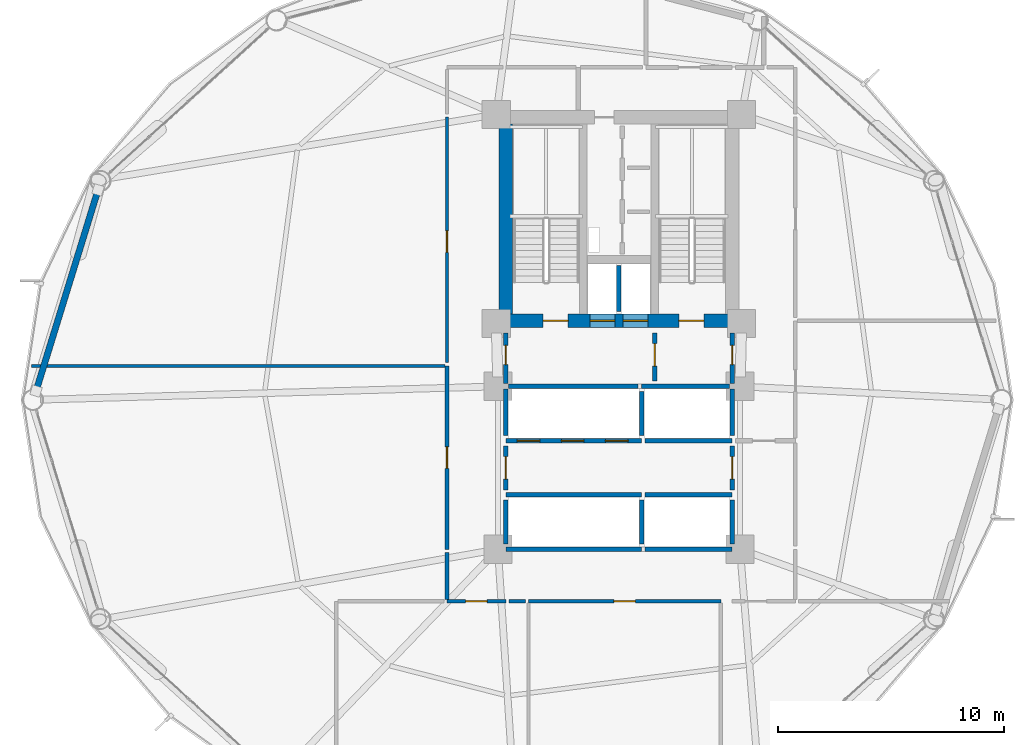
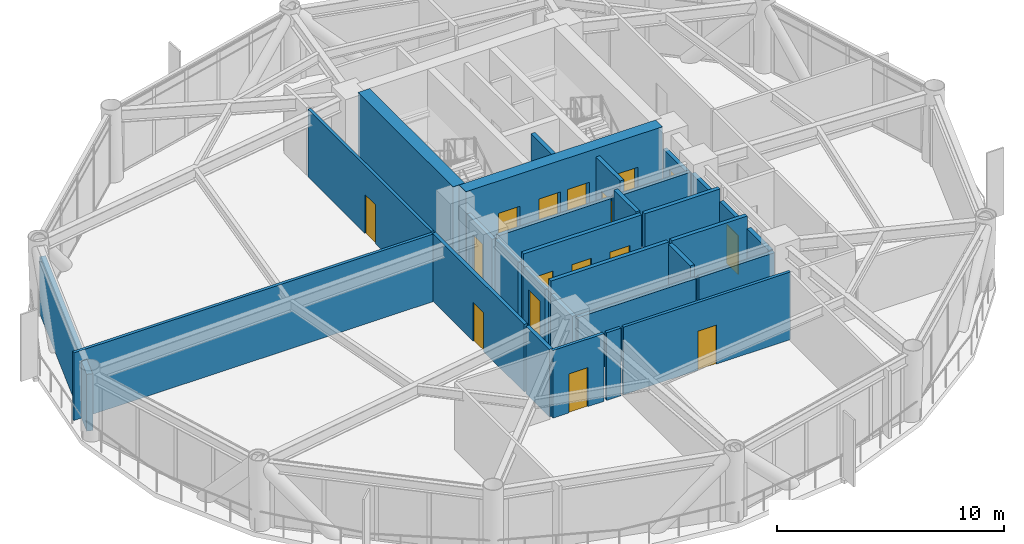
# One storey, part 20 of 25: 30 walls, 16 doors, 16 openings.
"""IFC4 building model written with IfcOpenShell, lengths in metres."""

import ifcopenshell
import ifcopenshell.guid

model = None  # the IFC model being written
_history = None  # IfcOwnerHistory: only IFC2X3 demands one
_inside = {}  # id of a spatial element -> (the spatial element, [elements in it])
_under = {}  # id of a project, library or spatial element -> (it, [spatial elements below it])
_declared = {}  # id of a project -> (the project, [libraries it declares])
_typed = {}  # id of a type object -> (the type object, [elements of that type])
_made_of = {}  # id of a material, layer set ... -> (it, [elements and type objects made of it])


def new_model(schema):
    """Start an empty IFC model of exactly this schema.

    Asked for "IFC4X3", IfcOpenShell would pick the latest addendum, in which some entities
    have other attributes; the version numbers below select the first issue.
    IFC2X3 requires an IfcOwnerHistory on every rooted entity: one is made here for all.
    """
    global model, _history
    if schema == "IFC4X3":
        model = ifcopenshell.file(schema_version=(4, 3, 0, 0))
    else:
        model = ifcopenshell.file(schema=schema)
    _inside.clear()
    _under.clear()
    _declared.clear()
    _typed.clear()
    _made_of.clear()
    _history = None
    if model.schema == "IFC2X3":
        org = make("IfcOrganization", Name="unknown")
        user = make(
            "IfcPersonAndOrganization",
            ThePerson=make("IfcPerson", FamilyName="unknown"),
            TheOrganization=org,
        )
        app = make(
            "IfcApplication",
            ApplicationDeveloper=org,
            Version="unknown",
            ApplicationFullName="unknown",
            ApplicationIdentifier="unknown",
        )
        _history = make(
            "IfcOwnerHistory",
            OwningUser=user,
            OwningApplication=app,
            ChangeAction="ADDED",
            CreationDate=0,
        )
    return model


def make(cls, **values):
    """One entity of the class cls with the attributes given. An attribute that is None is left unset."""
    return model.create_entity(
        cls, **{name: value for name, value in values.items() if value is not None}
    )


def rooted(cls, **values):
    """An entity with a GlobalId (a new one), such as an element, a storey or a relation."""
    return make(cls, GlobalId=ifcopenshell.guid.new(), OwnerHistory=_history, **values)


def si_unit(unit_type, name, prefix=None):
    """IfcSIUnit, for example si_unit("LENGTHUNIT", "METRE", prefix="MILLI")."""
    return make("IfcSIUnit", UnitType=unit_type, Prefix=prefix, Name=name)


def assignment(units):
    """IfcUnitAssignment: the units of a project."""
    return None if units is None else make("IfcUnitAssignment", Units=units)


def point(xyz):
    """IfcCartesianPoint."""
    return None if xyz is None else make("IfcCartesianPoint", Coordinates=xyz)


def direction(xyz):
    """IfcDirection."""
    return None if xyz is None else make("IfcDirection", DirectionRatios=xyz)


def frame(location, z_axis=None, x_axis=None):
    """IfcAxis2Placement3D, a coordinate frame: its origin and axes. An axis left out is left unset."""
    return make(
        "IfcAxis2Placement3D",
        Location=point(location),
        Axis=direction(z_axis),
        RefDirection=direction(x_axis),
    )


def frame_2d(location, x_axis=None):
    """IfcAxis2Placement2D, a coordinate frame in the plane: its origin and x axis."""
    return make(
        "IfcAxis2Placement2D", Location=point(location), RefDirection=direction(x_axis)
    )


def origin():
    """The frame at (0, 0, 0) with its axes left unset."""
    return frame((0.0, 0.0, 0.0))


def place(relative_to, where):
    """IfcLocalPlacement: puts the frame where relative to a parent placement (None: the world)."""
    return make(
        "IfcLocalPlacement", PlacementRelTo=relative_to, RelativePlacement=where
    )


def context(
    kind, dimensions, precision=None, world=None, true_north=None, identifier=None
):
    """IfcGeometricRepresentationContext, for example the 3D "Model" context."""
    return make(
        "IfcGeometricRepresentationContext",
        ContextIdentifier=identifier,
        ContextType=kind,
        CoordinateSpaceDimension=dimensions,
        Precision=precision,
        WorldCoordinateSystem=world,
        TrueNorth=true_north,
    )


def subcontext(parent, identifier, kind, view, scale=None):
    """IfcGeometricRepresentationSubContext, for example "Body" below "Model"."""
    return make(
        "IfcGeometricRepresentationSubContext",
        ContextIdentifier=identifier,
        ContextType=kind,
        ParentContext=parent,
        TargetScale=scale,
        TargetView=view,
    )


def project(units=None, contexts=None):
    """IfcProject with its units and contexts."""
    return rooted(
        "IfcProject",
        Name="project",
        RepresentationContexts=contexts,
        UnitsInContext=assignment(units),
    )


def spatial(cls, under=None, at=None, **own):
    """A site, building, storey or space (cls), placed at a placement, below another one or the project."""
    s = rooted(cls, ObjectPlacement=at, **own)
    if under is not None:
        _under.setdefault(under.id(), (under, []))[1].append(s)
    return s


def profile(cls, at=None, kind="AREA", **sizes):
    """A parametric profile (cls). Its sizes go by their IFC names, for example OverallWidth=200.0."""
    return make(cls, ProfileType=kind, Position=at, **sizes)


def rectangle(**sizes):
    """IfcRectangleProfileDef."""
    return profile("IfcRectangleProfileDef", **sizes)


def extrude(swept, where, along, depth):
    """IfcExtrudedAreaSolid: the profile swept, set in the frame where, extruded along a direction by depth."""
    return make(
        "IfcExtrudedAreaSolid",
        SweptArea=swept,
        Position=where,
        ExtrudedDirection=direction(along),
        Depth=depth,
    )


def shape(context_of_items, identifier, shape_type, items):
    """IfcShapeRepresentation: the items that make up one representation, for example the "Body"."""
    return make(
        "IfcShapeRepresentation",
        ContextOfItems=context_of_items,
        RepresentationIdentifier=identifier,
        RepresentationType=shape_type,
        Items=items,
    )


def material(Name=None, Category=None):
    """IfcMaterial."""
    return make("IfcMaterial", Name=Name, Category=Category)


def layer(
    of_material, thickness, ventilated=None, Name=None, Category=None, Priority=None
):
    """IfcMaterialLayer: one layer of a wall or slab, of a material (None: an air gap)."""
    return make(
        "IfcMaterialLayer",
        Material=of_material,
        LayerThickness=thickness,
        IsVentilated=ventilated,
        Name=Name,
        Category=Category,
        Priority=Priority,
    )


def layer_set(layers, Name=None):
    """IfcMaterialLayerSet."""
    return make("IfcMaterialLayerSet", MaterialLayers=layers, LayerSetName=Name)


def made_of(thing, what):
    """Note that an element or type object is made of a material, layer set ...; save() writes the relation."""
    if what is not None:
        _made_of.setdefault(what.id(), (what, []))[1].append(thing)
    return thing


def type_object(cls, material=None, **own):
    """A type object (cls), such as IfcWallType, which elements share."""
    return made_of(rooted(cls, **own), material)


def element(
    cls,
    number,
    at=None,
    inside=None,
    cuts=None,
    type_object=None,
    material=None,
    context=None,
    identifier="Body",
    shape_type=None,
    held_by="IfcProductDefinitionShape",
    body=None,
    shapes=None,
    **own,
):
    """One element of the class cls, such as IfcWall. Its Tag is "e" and its number.

    at: its placement. inside: the storey or other place that contains it. cuts: it is an
    opening in that element (IfcRelVoidsElement). A single representation is given by context,
    identifier, shape_type and body (its items); several are given by shapes. held_by: the class
    of the entity that holds the representations. save() writes the other relations.
    """
    e = rooted(cls, Tag="e%d" % number, ObjectPlacement=at, **own)
    if body is not None:
        shapes = [shape(context, identifier, shape_type, body)]
    if shapes is not None:
        e.Representation = make(held_by, Representations=shapes)
    if inside is not None:
        _inside.setdefault(inside.id(), (inside, []))[1].append(e)
    if cuts is not None:
        rooted(
            "IfcRelVoidsElement", RelatingBuildingElement=cuts, RelatedOpeningElement=e
        )
    if type_object is not None:
        _typed.setdefault(type_object.id(), (type_object, []))[1].append(e)
    return made_of(e, material)


def fill(opening, filler):
    """IfcRelFillsElement: the door or window that sits in an opening."""
    return rooted(
        "IfcRelFillsElement",
        RelatingOpeningElement=opening,
        RelatedBuildingElement=filler,
    )


def aggregate(whole, parts):
    """IfcRelAggregates: a whole, such as a stair, and the parts it consists of."""
    return rooted("IfcRelAggregates", RelatingObject=whole, RelatedObjects=parts)


def save(model, path):
    """Write the relations noted so far, then the file.

    IfcRelAggregates (storeys below a building ...), IfcRelContainedInSpatialStructure (elements
    in a storey), IfcRelDefinesByType, IfcRelAssociatesMaterial and IfcRelDeclares: one each for
    every whole, place, type object, material and project.
    """
    for whole, parts in _under.values():
        aggregate(whole, parts)
    for where, things in _inside.values():
        rooted(
            "IfcRelContainedInSpatialStructure",
            RelatedElements=things,
            RelatingStructure=where,
        )
    for kind, things in _typed.values():
        rooted("IfcRelDefinesByType", RelatedObjects=things, RelatingType=kind)
    for what, things in _made_of.values():
        rooted("IfcRelAssociatesMaterial", RelatedObjects=things, RelatingMaterial=what)
    for by, libraries in _declared.values():
        rooted("IfcRelDeclares", RelatingContext=by, RelatedDefinitions=libraries)
    model.write(path)


model = new_model("IFC4")

# Units and contexts
model_context = context("Model", 3, precision=1e-05, world=origin(), true_north=direction((0.0, 1.0)))
body_context = subcontext(model_context, "Body", "Model", "MODEL_VIEW")
ifc_project = project(units=[si_unit("LENGTHUNIT", "METRE"), si_unit("AREAUNIT", "SQUARE_METRE"), si_unit("VOLUMEUNIT", "CUBIC_METRE"), si_unit("PLANEANGLEUNIT", "RADIAN"), si_unit("MASSUNIT", "GRAM", prefix="KILO")], contexts=[model_context])

# Site, building, storey
site_placement = place(None, origin())
site = spatial("IfcSite", under=ifc_project, at=site_placement, CompositionType="ELEMENT")
building_placement = place(site_placement, origin())
building = spatial("IfcBuilding", under=site, at=building_placement, Name="Varnakorn Sky Granary", CompositionType="ELEMENT")
storey_placement = place(building_placement, frame((0.0, 0.0, 58.800048828125)))
storey = spatial("IfcBuildingStorey", under=building, at=storey_placement, Name="L14", CompositionType="ELEMENT", Elevation=58.800048828125)

# Wall, openings, doors
ifc_material_1 = material(Name="Concrete C60/75", Category="concrete")
ifc_layer_1 = layer(ifc_material_1, 0.60009765625, Name="Concrete C60/75")
ifc_layer_set_1 = layer_set([ifc_layer_1], Name="Concrete C60/75")
wall_type_1 = type_object("IfcWallType", Name="WT-CW-SHEAR-600", PredefinedType="SHEAR", material=ifc_layer_set_1)
wall_1_placement = place(storey_placement, frame((-2.0, 3.5, 0.0), z_axis=(0.0, 0.0, 1.0), x_axis=(1.0, 0.0, 0.0)))
wall_1 = element("IfcWall", 1, at=wall_1_placement, inside=storey, type_object=wall_type_1, Name="Core South Shear Wall L14", PredefinedType="SHEAR", context=body_context, shape_type="SweptSolid", body=[
    extrude(rectangle(XDim=10.0, YDim=0.60009765625, at=frame_2d((5.0, 0.0))), origin(), (0.0, 0.0, 1.0), 3.891845703125),
])
opening_1_placement = place(wall_1_placement, frame((1.64990234375, 0.0, 0.0)))
opening_1 = element("IfcOpeningElement", 2, at=opening_1_placement, cuts=wall_1, Name="Opening FD-90", PredefinedType="OPENING", context=body_context, shape_type="SweptSolid", body=[
    extrude(rectangle(XDim=1.10009765625, YDim=2.14990234375, at=frame_2d((0.550048828125, 1.074951171875))), frame((0.0, 0.31005859375, 0.0), z_axis=(0.0, -1.0, 0.0), x_axis=(1.0, 0.0, 0.0)), (0.0, 0.0, 1.0), 0.6201171875),
])
opening_2_placement = place(wall_1_placement, frame((7.64990234375, 0.0, 0.0)))
opening_2 = element("IfcOpeningElement", 3, at=opening_2_placement, cuts=wall_1, Name="Opening FD-90", PredefinedType="OPENING", context=body_context, shape_type="SweptSolid", body=[
    extrude(rectangle(XDim=1.10009765625, YDim=2.14990234375, at=frame_2d((0.550048828125, 1.074951171875))), frame((0.0, 0.31005859375, 0.0), z_axis=(0.0, -1.0, 0.0), x_axis=(1.0, 0.0, 0.0)), (0.0, 0.0, 1.0), 0.6201171875),
])
opening_3_placement = place(wall_1_placement, frame((3.719970703125, 0.0, 0.0)))
opening_3 = element("IfcOpeningElement", 4, at=opening_3_placement, cuts=wall_1, Name="Opening LD-01", PredefinedType="OPENING", context=body_context, shape_type="SweptSolid", body=[
    extrude(rectangle(XDim=1.10009765625, YDim=2.199951171875, at=frame_2d((0.550048828125, 1.10009765625))), frame((0.0, 0.31005859375, 0.0), z_axis=(0.0, -1.0, 0.0), x_axis=(1.0, 0.0, 0.0)), (0.0, 0.0, 1.0), 0.6201171875),
])
opening_4_placement = place(wall_1_placement, frame((5.179931640625, 0.0, 0.0)))
opening_4 = element("IfcOpeningElement", 5, at=opening_4_placement, cuts=wall_1, Name="Opening LD-01", PredefinedType="OPENING", context=body_context, shape_type="SweptSolid", body=[
    extrude(rectangle(XDim=1.10009765625, YDim=2.199951171875, at=frame_2d((0.550048828125, 1.10009765625))), frame((0.0, 0.31005859375, 0.0), z_axis=(0.0, -1.0, 0.0), x_axis=(1.0, 0.0, 0.0)), (0.0, 0.0, 1.0), 0.6201171875),
])
ifc_material_2 = material(Name="Brushed Bronze Stainless Steel", Category="steel")
door_type_1 = type_object("IfcDoorType", Name="DR-LD-1100", OperationType="DOUBLE_DOOR_SLIDING", PredefinedType="DOOR", material=ifc_material_2)
door_1_placement = place(opening_3_placement, origin())
door_1 = element("IfcDoor", 6, at=door_1_placement, inside=storey, type_object=door_type_1, Name="Firefighting Lift FFL-1 Landing Door L14", OperationType="DOUBLE_DOOR_SLIDING", OverallHeight=2.199951171875, OverallWidth=1.10009765625, PredefinedType="DOOR", context=body_context, shape_type="SweptSolid", body=[
    extrude(rectangle(XDim=1.10009765625, YDim=2.199951171875, at=frame_2d((0.550048828125, 1.10009765625))), frame((0.0, 0.02490234375, 0.0), z_axis=(0.0, -1.0, 0.0), x_axis=(1.0, 0.0, 0.0)), (0.0, 0.0, 1.0), 0.050048828125),
])
fill(opening_3, door_1)
door_2_placement = place(opening_4_placement, origin())
door_2 = element("IfcDoor", 7, at=door_2_placement, inside=storey, type_object=door_type_1, Name="Firefighting Lift FFL-2 Landing Door L14", OperationType="DOUBLE_DOOR_SLIDING", OverallHeight=2.199951171875, OverallWidth=1.10009765625, PredefinedType="DOOR", context=body_context, shape_type="SweptSolid", body=[
    extrude(rectangle(XDim=1.10009765625, YDim=2.199951171875, at=frame_2d((0.550048828125, 1.10009765625))), frame((0.0, 0.02490234375, 0.0), z_axis=(0.0, -1.0, 0.0), x_axis=(1.0, 0.0, 0.0)), (0.0, 0.0, 1.0), 0.050048828125),
])
fill(opening_4, door_2)
ifc_material_3 = material(Name="Galvanised Painted Steel Leaf", Category="steel")
door_type_2 = type_object("IfcDoorType", Name="DR-STAIR-1100", OperationType="NOTDEFINED", PredefinedType="DOOR", material=ifc_material_3)
door_3_placement = place(opening_1_placement, origin())
door_3 = element("IfcDoor", 8, at=door_3_placement, inside=storey, type_object=door_type_2, Name="Stair ST-1 Protected Fire Door L14", OperationType="SINGLE_SWING_LEFT", OverallHeight=2.14990234375, OverallWidth=1.10009765625, PredefinedType="DOOR", context=body_context, shape_type="SweptSolid", body=[
    extrude(rectangle(XDim=1.10009765625, YDim=2.14990234375, at=frame_2d((0.550048828125, 1.074951171875))), frame((0.0, 0.02490234375, 0.0), z_axis=(0.0, -1.0, 0.0), x_axis=(1.0, 0.0, 0.0)), (0.0, 0.0, 1.0), 0.050048828125),
])
fill(opening_1, door_3)
door_4_placement = place(opening_2_placement, origin())
door_4 = element("IfcDoor", 9, at=door_4_placement, inside=storey, type_object=door_type_2, Name="Stair ST-2 Protected Fire Door L14", OperationType="SINGLE_SWING_RIGHT", OverallHeight=2.14990234375, OverallWidth=1.10009765625, PredefinedType="DOOR", context=body_context, shape_type="SweptSolid", body=[
    extrude(rectangle(XDim=1.10009765625, YDim=2.14990234375, at=frame_2d((0.550048828125, 1.074951171875))), frame((0.0, 0.02490234375, 0.0), z_axis=(0.0, -1.0, 0.0), x_axis=(1.0, 0.0, 0.0)), (0.0, 0.0, 1.0), 0.050048828125),
])
fill(opening_2, door_4)

# Walls
wall_2_placement = place(storey_placement, frame((-2.0, 3.81005859375, 0.0), z_axis=(0.0, 0.0, 1.0), x_axis=(0.0, 1.0, 0.0)))
element("IfcWall", 10, at=wall_2_placement, inside=storey, type_object=wall_type_1, Name="Core West Shear Wall L14", PredefinedType="SHEAR", context=body_context, shape_type="SweptSolid", body=[
    extrude(rectangle(XDim=8.3798828125, YDim=0.60009765625, at=frame_2d((4.18994140625, 0.0))), origin(), (0.0, 0.0, 1.0), 3.891845703125),
])
ifc_material_4 = material(Name="Precast concrete C40/50", Category="concrete")
ifc_layer_2 = layer(ifc_material_4, 0.280029296875, Name="Precast concrete C40/50")
ifc_layer_set_2 = layer_set([ifc_layer_2], Name="Precast concrete C40/50")
wall_type_2 = type_object("IfcWallType", Name="WT-EW-CRN-280", PredefinedType="SOLIDWALL", material=ifc_layer_set_2)
wall_3_placement = place(storey_placement, frame((-22.7666015625, 0.393798828125, 0.0), z_axis=(0.0, 0.0, 1.0), x_axis=(0.294517365883, 0.955646127598, 0.0)))
element("IfcWall", 11, at=wall_3_placement, inside=storey, type_object=wall_type_2, Name="Agritech Insulated Precast Facade Wall L14-P06", PredefinedType="SOLIDWALL", context=body_context, shape_type="SweptSolid", body=[
    extrude(rectangle(XDim=9.302490234375, YDim=0.280029296875, at=frame_2d((4.6513671875, 0.0))), origin(), (0.0, 0.0, 1.0), 3.06005859375),
])

# Wall, opening, door
ifc_material_5 = material(Name="Autoclaved Aerated Concrete Blockwork", Category="masonry")
ifc_layer_3 = layer(ifc_material_5, 0.199951171875, Name="Autoclaved Aerated Concrete Blockwork")
ifc_layer_set_3 = layer_set([ifc_layer_3], Name="Autoclaved Aerated Concrete Blockwork")
wall_type_3 = type_object("IfcWallType", Name="WT-FIRE-200", PredefinedType="MOVABLE", material=ifc_layer_set_3)
wall_4_placement = place(storey_placement, frame((4.580078125, 0.830078125, 0.0), z_axis=(0.0, 0.0, 1.0), x_axis=(0.0, 1.0, 0.0)))
wall_4 = element("IfcWall", 12, at=wall_4_placement, inside=storey, type_object=wall_type_3, Name="Interior Partition Wall L14-016", PredefinedType="MOVABLE", context=body_context, shape_type="SweptSolid", body=[
    extrude(rectangle(XDim=2.139892578125, YDim=0.199951171875, at=frame_2d((1.06982421875, 0.0))), origin(), (0.0, 0.0, 1.0), 3.639892578125),
])
opening_5_placement = place(wall_4_placement, frame((0.659912109375, 0.0, 0.0)))
opening_5 = element("IfcOpeningElement", 13, at=opening_5_placement, cuts=wall_4, Name="Opening FD-60", PredefinedType="OPENING", context=body_context, shape_type="SweptSolid", body=[
    extrude(rectangle(XDim=1.0, YDim=2.10009765625, at=frame_2d((0.5, 1.050048828125))), frame((0.0, 0.10986328125, 0.0), z_axis=(0.0, -1.0, 0.0), x_axis=(1.0, 0.0, 0.0)), (0.0, 0.0, 1.0), 0.219970703125),
])
ifc_material_6 = material(Name="Acoustic Timber Fire Leaf", Category="wood")
door_type_3 = type_object("IfcDoorType", Name="DR-FD60-1000", OperationType="NOTDEFINED", PredefinedType="DOOR", material=ifc_material_6)
door_5_placement = place(opening_5_placement, origin())
door_5 = element("IfcDoor", 14, at=door_5_placement, inside=storey, type_object=door_type_3, Name="Interior Door L14-016-1", OperationType="SINGLE_SWING_RIGHT", OverallHeight=2.10009765625, OverallWidth=1.0, PredefinedType="DOOR", context=body_context, shape_type="SweptSolid", body=[
    extrude(rectangle(XDim=1.0, YDim=2.10009765625, at=frame_2d((0.5, 1.050048828125))), frame((0.0, 0.02490234375, 0.0), z_axis=(0.0, -1.0, 0.0), x_axis=(1.0, 0.0, 0.0)), (0.0, 0.0, 1.0), 0.050048828125),
])
fill(opening_5, door_5)

wall_5_placement = place(storey_placement, frame((-2.0, 0.719970703125, 0.0), z_axis=(0.0, 0.0, 1.0), x_axis=(0.0, 1.0, 0.0)))
wall_5 = element("IfcWall", 15, at=wall_5_placement, inside=storey, type_object=wall_type_3, Name="Interior Partition Wall L14-017", PredefinedType="MOVABLE", context=body_context, shape_type="SweptSolid", body=[
    extrude(rectangle(XDim=2.25, YDim=0.199951171875, at=frame_2d((1.125, 0.0))), origin(), (0.0, 0.0, 1.0), 2.8720703125),
])
opening_6_placement = place(wall_5_placement, frame((0.844970703125, 0.0, 0.0)))
opening_6 = element("IfcOpeningElement", 16, at=opening_6_placement, cuts=wall_5, Name="Opening FD-60N", PredefinedType="OPENING", context=body_context, shape_type="SweptSolid", body=[
    extrude(rectangle(XDim=0.85009765625, YDim=2.10009765625, at=frame_2d((0.425048828125, 1.050048828125))), frame((0.0, 0.10986328125, 0.0), z_axis=(0.0, -1.0, 0.0), x_axis=(1.0, 0.0, 0.0)), (0.0, 0.0, 1.0), 0.219970703125),
])
door_type_4 = type_object("IfcDoorType", Name="DR-FD60-850", OperationType="NOTDEFINED", PredefinedType="DOOR", material=ifc_material_6)
door_6_placement = place(opening_6_placement, origin())
door_6 = element("IfcDoor", 17, at=door_6_placement, inside=storey, type_object=door_type_4, Name="Interior Door L14-017-1", OperationType="SINGLE_SWING_LEFT", OverallHeight=2.10009765625, OverallWidth=0.85009765625, PredefinedType="DOOR", context=body_context, shape_type="SweptSolid", body=[
    extrude(rectangle(XDim=0.85009765625, YDim=2.10009765625, at=frame_2d((0.425048828125, 1.050048828125))), frame((0.0, 0.02490234375, 0.0), z_axis=(0.0, -1.0, 0.0), x_axis=(1.0, 0.0, 0.0)), (0.0, 0.0, 1.0), 0.050048828125),
])
fill(opening_6, door_6)

wall_6_placement = place(storey_placement, frame((8.0, 0.719970703125, 0.0), z_axis=(0.0, 0.0, 1.0), x_axis=(0.0, 1.0, 0.0)))
wall_6 = element("IfcWall", 18, at=wall_6_placement, inside=storey, type_object=wall_type_3, Name="Interior Partition Wall L14-018", PredefinedType="MOVABLE", context=body_context, shape_type="SweptSolid", body=[
    extrude(rectangle(XDim=2.25, YDim=0.199951171875, at=frame_2d((1.125, 0.0))), origin(), (0.0, 0.0, 1.0), 2.8720703125),
])
opening_7_placement = place(wall_6_placement, frame((0.844970703125, 0.0, 0.0)))
opening_7 = element("IfcOpeningElement", 19, at=opening_7_placement, cuts=wall_6, Name="Opening FD-60N", PredefinedType="OPENING", context=body_context, shape_type="SweptSolid", body=[
    extrude(rectangle(XDim=0.85009765625, YDim=2.10009765625, at=frame_2d((0.425048828125, 1.050048828125))), frame((0.0, 0.10986328125, 0.0), z_axis=(0.0, -1.0, 0.0), x_axis=(1.0, 0.0, 0.0)), (0.0, 0.0, 1.0), 0.219970703125),
])
door_7_placement = place(opening_7_placement, origin())
door_7 = element("IfcDoor", 20, at=door_7_placement, inside=storey, type_object=door_type_4, Name="Interior Door L14-018-1", OperationType="SINGLE_SWING_RIGHT", OverallHeight=2.10009765625, OverallWidth=0.85009765625, PredefinedType="DOOR", context=body_context, shape_type="SweptSolid", body=[
    extrude(rectangle(XDim=0.85009765625, YDim=2.10009765625, at=frame_2d((0.425048828125, 1.050048828125))), frame((0.0, 0.02490234375, 0.0), z_axis=(0.0, -1.0, 0.0), x_axis=(1.0, 0.0, 0.0)), (0.0, 0.0, 1.0), 0.050048828125),
])
fill(opening_7, door_7)

wall_7_placement = place(storey_placement, frame((-2.0, -3.969970703125, 0.0), z_axis=(0.0, 0.0, 1.0), x_axis=(0.0, 1.0, 0.0)))
wall_7 = element("IfcWall", 21, at=wall_7_placement, inside=storey, type_object=wall_type_3, Name="Interior Partition Wall L14-019", PredefinedType="MOVABLE", context=body_context, shape_type="SweptSolid", body=[
    extrude(rectangle(XDim=1.93994140625, YDim=0.199951171875, at=frame_2d((0.969970703125, 0.0))), origin(), (0.0, 0.0, 1.0), 3.02197265625),
])
opening_8_placement = place(wall_7_placement, frame((0.469970703125, 0.0, 0.0)))
opening_8 = element("IfcOpeningElement", 22, at=opening_8_placement, cuts=wall_7, Name="Opening FD-60", PredefinedType="OPENING", context=body_context, shape_type="SweptSolid", body=[
    extrude(rectangle(XDim=1.0, YDim=2.10009765625, at=frame_2d((0.5, 1.050048828125))), frame((0.0, 0.10986328125, 0.0), z_axis=(0.0, -1.0, 0.0), x_axis=(1.0, 0.0, 0.0)), (0.0, 0.0, 1.0), 0.219970703125),
])
door_8_placement = place(opening_8_placement, origin())
door_8 = element("IfcDoor", 23, at=door_8_placement, inside=storey, type_object=door_type_3, Name="Interior Door L14-019-1", OperationType="SINGLE_SWING_LEFT", OverallHeight=2.10009765625, OverallWidth=1.0, PredefinedType="DOOR", context=body_context, shape_type="SweptSolid", body=[
    extrude(rectangle(XDim=1.0, YDim=2.10009765625, at=frame_2d((0.5, 1.050048828125))), frame((0.0, 0.02490234375, 0.0), z_axis=(0.0, -1.0, 0.0), x_axis=(1.0, 0.0, 0.0)), (0.0, 0.0, 1.0), 0.050048828125),
])
fill(opening_8, door_8)

wall_8_placement = place(storey_placement, frame((8.0, -3.969970703125, 0.0), z_axis=(0.0, 0.0, 1.0), x_axis=(0.0, 1.0, 0.0)))
wall_8 = element("IfcWall", 24, at=wall_8_placement, inside=storey, type_object=wall_type_3, Name="Interior Partition Wall L14-020", PredefinedType="MOVABLE", context=body_context, shape_type="SweptSolid", body=[
    extrude(rectangle(XDim=1.93994140625, YDim=0.199951171875, at=frame_2d((0.969970703125, 0.0))), origin(), (0.0, 0.0, 1.0), 3.072021484375),
])
opening_9_placement = place(wall_8_placement, frame((0.469970703125, 0.0, 0.0)))
opening_9 = element("IfcOpeningElement", 25, at=opening_9_placement, cuts=wall_8, Name="Opening FD-60", PredefinedType="OPENING", context=body_context, shape_type="SweptSolid", body=[
    extrude(rectangle(XDim=1.0, YDim=2.10009765625, at=frame_2d((0.5, 1.050048828125))), frame((0.0, 0.10986328125, 0.0), z_axis=(0.0, -1.0, 0.0), x_axis=(1.0, 0.0, 0.0)), (0.0, 0.0, 1.0), 0.219970703125),
])
door_9_placement = place(opening_9_placement, origin())
door_9 = element("IfcDoor", 26, at=door_9_placement, inside=storey, type_object=door_type_3, Name="Interior Door L14-020-1", OperationType="SINGLE_SWING_RIGHT", OverallHeight=2.10009765625, OverallWidth=1.0, PredefinedType="DOOR", context=body_context, shape_type="SweptSolid", body=[
    extrude(rectangle(XDim=1.0, YDim=2.10009765625, at=frame_2d((0.5, 1.050048828125))), frame((0.0, 0.02490234375, 0.0), z_axis=(0.0, -1.0, 0.0), x_axis=(1.0, 0.0, 0.0)), (0.0, 0.0, 1.0), 0.050048828125),
])
fill(opening_9, door_9)

# Wall
wall_9_placement = place(storey_placement, frame((-1.8798828125, 0.60009765625, 0.0), z_axis=(0.0, 0.0, 1.0), x_axis=(1.0, 0.0, 0.0)))
element("IfcWall", 27, at=wall_9_placement, inside=storey, type_object=wall_type_3, Name="Interior Partition Wall L14-032", PredefinedType="MOVABLE", context=body_context, shape_type="SweptSolid", body=[
    extrude(rectangle(XDim=5.719970703125, YDim=0.199951171875, at=frame_2d((2.85986328125, 0.0))), origin(), (0.0, 0.0, 1.0), 3.1220703125),
])

# Wall, opening, door
ifc_material_7 = material(Name="Gypsum Plasterboard on Steel Stud", Category="steel")
ifc_layer_4 = layer(ifc_material_7, 0.14990234375, Name="Gypsum Plasterboard on Steel Stud")
ifc_layer_set_4 = layer_set([ifc_layer_4], Name="Gypsum Plasterboard on Steel Stud")
wall_type_4 = type_object("IfcWallType", Name="WT-PART-150", PredefinedType="PARTITIONING", material=ifc_layer_set_4)
wall_10_placement = place(storey_placement, frame((-4.60009765625, -8.89990234375, 0.0), z_axis=(0.0, 0.0, 1.0), x_axis=(1.0, 0.0, 0.0)))
wall_10 = element("IfcWall", 28, at=wall_10_placement, inside=storey, type_object=wall_type_4, Name="Interior Partition Wall L14-023", PredefinedType="PARTITIONING", context=body_context, shape_type="SweptSolid", body=[
    extrude(rectangle(XDim=2.60009765625, YDim=0.14990234375, at=frame_2d((1.300048828125, 0.0))), origin(), (0.0, 0.0, 1.0), 3.639892578125),
])
opening_10_placement = place(wall_10_placement, frame((0.824951171875, 0.0, 0.0)))
opening_10 = element("IfcOpeningElement", 29, at=opening_10_placement, cuts=wall_10, Name="Opening ID-95", PredefinedType="OPENING", context=body_context, shape_type="SweptSolid", body=[
    extrude(rectangle(XDim=0.949951171875, YDim=2.10009765625, at=frame_2d((0.47509765625, 1.050048828125))), frame((0.0, 0.0849609375, 0.0), z_axis=(0.0, -1.0, 0.0), x_axis=(1.0, 0.0, 0.0)), (0.0, 0.0, 1.0), 0.169921875),
])
ifc_material_8 = material(Name="Solid-Core Teak Veneer Leaf", Category="timber")
door_type_5 = type_object("IfcDoorType", Name="DR-INT-950", OperationType="NOTDEFINED", PredefinedType="DOOR", material=ifc_material_8)
door_10_placement = place(opening_10_placement, origin())
door_10 = element("IfcDoor", 30, at=door_10_placement, inside=storey, type_object=door_type_5, Name="Interior Door L14-023-1", OperationType="SINGLE_SWING_LEFT", OverallHeight=2.10009765625, OverallWidth=0.949951171875, PredefinedType="DOOR", context=body_context, shape_type="SweptSolid", body=[
    extrude(rectangle(XDim=0.949951171875, YDim=2.10009765625, at=frame_2d((0.47509765625, 1.050048828125))), frame((0.0, 0.02490234375, 0.0), z_axis=(0.0, -1.0, 0.0), x_axis=(1.0, 0.0, 0.0)), (0.0, 0.0, 1.0), 0.050048828125),
])
fill(opening_10, door_10)

wall_11_placement = place(storey_placement, frame((-1.0, -8.89990234375, 0.0), z_axis=(0.0, 0.0, 1.0), x_axis=(1.0, 0.0, 0.0)))
wall_11 = element("IfcWall", 31, at=wall_11_placement, inside=storey, type_object=wall_type_4, Name="Interior Partition Wall L14-024", PredefinedType="PARTITIONING", context=body_context, shape_type="SweptSolid", body=[
    extrude(rectangle(XDim=8.5, YDim=0.14990234375, at=frame_2d((4.25, 0.0))), origin(), (0.0, 0.0, 1.0), 3.639892578125),
])
opening_11_placement = place(wall_11_placement, frame((3.77490234375, 0.0, 0.0)))
opening_11 = element("IfcOpeningElement", 32, at=opening_11_placement, cuts=wall_11, Name="Opening ID-95", PredefinedType="OPENING", context=body_context, shape_type="SweptSolid", body=[
    extrude(rectangle(XDim=0.949951171875, YDim=2.10009765625, at=frame_2d((0.47509765625, 1.050048828125))), frame((0.0, 0.0849609375, 0.0), z_axis=(0.0, -1.0, 0.0), x_axis=(1.0, 0.0, 0.0)), (0.0, 0.0, 1.0), 0.169921875),
])
door_11_placement = place(opening_11_placement, origin())
door_11 = element("IfcDoor", 33, at=door_11_placement, inside=storey, type_object=door_type_5, Name="Interior Door L14-024-1", OperationType="SINGLE_SWING_RIGHT", OverallHeight=2.10009765625, OverallWidth=0.949951171875, PredefinedType="DOOR", context=body_context, shape_type="SweptSolid", body=[
    extrude(rectangle(XDim=0.949951171875, YDim=2.10009765625, at=frame_2d((0.47509765625, 1.050048828125))), frame((0.0, 0.02490234375, 0.0), z_axis=(0.0, -1.0, 0.0), x_axis=(1.0, 0.0, 0.0)), (0.0, 0.0, 1.0), 0.050048828125),
])
fill(opening_11, door_11)

wall_12_placement = place(storey_placement, frame((-4.60009765625, 12.5, 0.0), z_axis=(0.0, 0.0, 1.0), x_axis=(0.0, -1.0, 0.0)))
wall_12 = element("IfcWall", 34, at=wall_12_placement, inside=storey, type_object=wall_type_4, Name="Interior Partition Wall L14-027", PredefinedType="PARTITIONING", context=body_context, shape_type="SweptSolid", body=[
    extrude(rectangle(XDim=10.85009765625, YDim=0.14990234375, at=frame_2d((5.425048828125, 0.0))), origin(), (0.0, 0.0, 1.0), 3.639892578125),
])
opening_12_placement = place(wall_12_placement, frame((5.02490234375, 0.0, 0.0)))
opening_12 = element("IfcOpeningElement", 35, at=opening_12_placement, cuts=wall_12, Name="Opening ID-95", PredefinedType="OPENING", context=body_context, shape_type="SweptSolid", body=[
    extrude(rectangle(XDim=0.949951171875, YDim=2.10009765625, at=frame_2d((0.47509765625, 1.050048828125))), frame((0.0, 0.0849609375, 0.0), z_axis=(0.0, -1.0, 0.0), x_axis=(1.0, 0.0, 0.0)), (0.0, 0.0, 1.0), 0.169921875),
])
door_12_placement = place(opening_12_placement, origin())
door_12 = element("IfcDoor", 36, at=door_12_placement, inside=storey, type_object=door_type_5, Name="Interior Door L14-027-1", OperationType="SINGLE_SWING_LEFT", OverallHeight=2.10009765625, OverallWidth=0.949951171875, PredefinedType="DOOR", context=body_context, shape_type="SweptSolid", body=[
    extrude(rectangle(XDim=0.949951171875, YDim=2.10009765625, at=frame_2d((0.47509765625, 1.050048828125))), frame((0.0, 0.02490234375, 0.0), z_axis=(0.0, -1.0, 0.0), x_axis=(1.0, 0.0, 0.0)), (0.0, 0.0, 1.0), 0.050048828125),
])
fill(opening_12, door_12)

# Walls
wall_13_placement = place(storey_placement, frame((-1.864990234375, -8.89990234375, 0.0), z_axis=(0.0, 0.0, 1.0), x_axis=(1.0, 0.0, 0.0)))
element("IfcWall", 37, at=wall_13_placement, inside=storey, type_object=wall_type_4, Name="Interior Partition Wall L14-035", PredefinedType="PARTITIONING", context=body_context, shape_type="SweptSolid", body=[
    extrude(rectangle(XDim=0.72998046875, YDim=0.14990234375, at=frame_2d((0.364990234375, 0.0))), origin(), (0.0, 0.0, 1.0), 3.639892578125),
])
wall_14_placement = place(storey_placement, frame((-22.968017578125, 1.5, 0.0), z_axis=(0.0, 0.0, 1.0), x_axis=(1.0, 0.0, 0.0)))
element("IfcWall", 38, at=wall_14_placement, inside=storey, type_object=wall_type_4, Name="Interior Partition Wall L14-042", PredefinedType="PARTITIONING", context=body_context, shape_type="SweptSolid", body=[
    extrude(rectangle(XDim=18.26806640625, YDim=0.14990234375, at=frame_2d((9.134033203125, 0.0))), origin(), (0.0, 0.0, 1.0), 3.639892578125),
])

# Wall, opening, door
ifc_material_9 = material(Name="Moisture-Resistant Gypsum on Stud", Category="gypsum")
ifc_layer_5 = layer(ifc_material_9, 0.179931640625, Name="Moisture-Resistant Gypsum on Stud")
ifc_layer_set_5 = layer_set([ifc_layer_5], Name="Moisture-Resistant Gypsum on Stud")
wall_type_5 = type_object("IfcWallType", Name="WT-PLUMB-180", PredefinedType="PLUMBINGWALL", material=ifc_layer_set_5)
wall_15_placement = place(storey_placement, frame((-4.60009765625, 1.5, 0.0), z_axis=(0.0, 0.0, 1.0), x_axis=(0.0, -1.0, 0.0)))
wall_15 = element("IfcWall", 39, at=wall_15_placement, inside=storey, type_object=wall_type_5, Name="Interior Partition Wall L14-026", PredefinedType="PLUMBINGWALL", context=body_context, shape_type="SweptSolid", body=[
    extrude(rectangle(XDim=8.10009765625, YDim=0.179931640625, at=frame_2d((4.050048828125, 0.0))), origin(), (0.0, 0.0, 1.0), 3.639892578125),
])
opening_13_placement = place(wall_15_placement, frame((3.574951171875, 0.0, 0.0)))
opening_13 = element("IfcOpeningElement", 40, at=opening_13_placement, cuts=wall_15, Name="Opening ID-95", PredefinedType="OPENING", context=body_context, shape_type="SweptSolid", body=[
    extrude(rectangle(XDim=0.949951171875, YDim=2.10009765625, at=frame_2d((0.47509765625, 1.050048828125))), frame((0.0, 0.10009765625, 0.0), z_axis=(0.0, -1.0, 0.0), x_axis=(1.0, 0.0, 0.0)), (0.0, 0.0, 1.0), 0.199951171875),
])
door_13_placement = place(opening_13_placement, origin())
door_13 = element("IfcDoor", 41, at=door_13_placement, inside=storey, type_object=door_type_5, Name="Interior Door L14-026-1", OperationType="SINGLE_SWING_RIGHT", OverallHeight=2.10009765625, OverallWidth=0.949951171875, PredefinedType="DOOR", context=body_context, shape_type="SweptSolid", body=[
    extrude(rectangle(XDim=0.949951171875, YDim=2.10009765625, at=frame_2d((0.47509765625, 1.050048828125))), frame((0.0, 0.02490234375, 0.0), z_axis=(0.0, -1.0, 0.0), x_axis=(1.0, 0.0, 0.0)), (0.0, 0.0, 1.0), 0.050048828125),
])
fill(opening_13, door_13)

# Walls
wall_16_placement = place(storey_placement, frame((-4.60009765625, -6.75, 0.0), z_axis=(0.0, 0.0, 1.0), x_axis=(0.0, -1.0, 0.0)))
element("IfcWall", 42, at=wall_16_placement, inside=storey, type_object=wall_type_5, Name="Interior Partition Wall L14-041", PredefinedType="PLUMBINGWALL", context=body_context, shape_type="SweptSolid", body=[
    extrude(rectangle(XDim=2.06494140625, YDim=0.179931640625, at=frame_2d((1.032470703125, 0.0))), origin(), (0.0, 0.0, 1.0), 3.639892578125),
])
ifc_layer_6 = layer(ifc_material_5, 0.199951171875, Name="Autoclaved Aerated Concrete Blockwork")
ifc_layer_set_6 = layer_set([ifc_layer_6], Name="Autoclaved Aerated Concrete Blockwork")
wall_type_6 = type_object("IfcWallType", Name="WT-SHAFT-200", PredefinedType="SOLIDWALL", material=ifc_layer_set_6)
wall_17_placement = place(storey_placement, frame((3.0, 3.919921875, 0.0), z_axis=(0.0, 0.0, 1.0), x_axis=(0.0, 1.0, 0.0)))
element("IfcWall", 43, at=wall_17_placement, inside=storey, type_object=wall_type_6, Name="Interior Partition Wall L14-001", PredefinedType="SOLIDWALL", context=body_context, shape_type="SweptSolid", body=[
    extrude(rectangle(XDim=2.030029296875, YDim=0.199951171875, at=frame_2d((1.01513671875, 0.0))), origin(), (0.0, 0.0, 1.0), 3.639892578125),
])
wall_18_placement = place(storey_placement, frame((4.0, 0.60009765625, 0.0), z_axis=(0.0, 0.0, 1.0), x_axis=(1.0, 0.0, 0.0)))
element("IfcWall", 44, at=wall_18_placement, inside=storey, type_object=wall_type_6, Name="Interior Partition Wall L14-002", PredefinedType="SOLIDWALL", context=body_context, shape_type="SweptSolid", body=[
    extrude(rectangle(XDim=3.8798828125, YDim=0.199951171875, at=frame_2d((1.93994140625, 0.0))), origin(), (0.0, 0.0, 1.0), 3.1220703125),
])

# Wall, openings, doors
wall_19_placement = place(storey_placement, frame((-2.0, -1.800048828125, 0.0), z_axis=(0.0, 0.0, 1.0), x_axis=(1.0, 0.0, 0.0)))
wall_19 = element("IfcWall", 45, at=wall_19_placement, inside=storey, type_object=wall_type_6, Name="Interior Partition Wall L14-003", PredefinedType="SOLIDWALL", context=body_context, shape_type="SweptSolid", body=[
    extrude(rectangle(XDim=6.0, YDim=0.199951171875, at=frame_2d((3.0, 0.0))), origin(), (0.0, 0.0, 1.0), 3.639892578125),
])
opening_14_placement = place(wall_19_placement, frame((0.5, 0.0, 0.0)))
opening_14 = element("IfcOpeningElement", 46, at=opening_14_placement, cuts=wall_19, Name="Opening LD-03", PredefinedType="OPENING", context=body_context, shape_type="SweptSolid", body=[
    extrude(rectangle(XDim=1.0, YDim=2.199951171875, at=frame_2d((0.5, 1.10009765625))), frame((0.0, 0.10986328125, 0.0), z_axis=(0.0, -1.0, 0.0), x_axis=(1.0, 0.0, 0.0)), (0.0, 0.0, 1.0), 0.219970703125),
])
opening_15_placement = place(wall_19_placement, frame((2.449951171875, 0.0, 0.0)))
opening_15 = element("IfcOpeningElement", 47, at=opening_15_placement, cuts=wall_19, Name="Opening LD-03", PredefinedType="OPENING", context=body_context, shape_type="SweptSolid", body=[
    extrude(rectangle(XDim=1.0, YDim=2.199951171875, at=frame_2d((0.5, 1.10009765625))), frame((0.0, 0.10986328125, 0.0), z_axis=(0.0, -1.0, 0.0), x_axis=(1.0, 0.0, 0.0)), (0.0, 0.0, 1.0), 0.219970703125),
])
opening_16_placement = place(wall_19_placement, frame((4.39990234375, 0.0, 0.0)))
opening_16 = element("IfcOpeningElement", 48, at=opening_16_placement, cuts=wall_19, Name="Opening LD-03", PredefinedType="OPENING", context=body_context, shape_type="SweptSolid", body=[
    extrude(rectangle(XDim=1.0, YDim=2.199951171875, at=frame_2d((0.5, 1.10009765625))), frame((0.0, 0.10986328125, 0.0), z_axis=(0.0, -1.0, 0.0), x_axis=(1.0, 0.0, 0.0)), (0.0, 0.0, 1.0), 0.219970703125),
])
door_type_6 = type_object("IfcDoorType", Name="DR-LD-1000", OperationType="DOUBLE_DOOR_SLIDING", PredefinedType="DOOR", material=ifc_material_2)
door_14_placement = place(opening_14_placement, origin())
door_14 = element("IfcDoor", 49, at=door_14_placement, inside=storey, type_object=door_type_6, Name="Passenger Lift PL-L1 Sliding Landing Door L14", OperationType="DOUBLE_DOOR_SLIDING", OverallHeight=2.199951171875, OverallWidth=1.0, PredefinedType="DOOR", context=body_context, shape_type="SweptSolid", body=[
    extrude(rectangle(XDim=1.0, YDim=2.199951171875, at=frame_2d((0.5, 1.10009765625))), frame((0.0, 0.02490234375, 0.0), z_axis=(0.0, -1.0, 0.0), x_axis=(1.0, 0.0, 0.0)), (0.0, 0.0, 1.0), 0.050048828125),
])
fill(opening_14, door_14)
door_15_placement = place(opening_15_placement, origin())
door_15 = element("IfcDoor", 50, at=door_15_placement, inside=storey, type_object=door_type_6, Name="Passenger Lift PL-L2 Sliding Landing Door L14", OperationType="DOUBLE_DOOR_SLIDING", OverallHeight=2.199951171875, OverallWidth=1.0, PredefinedType="DOOR", context=body_context, shape_type="SweptSolid", body=[
    extrude(rectangle(XDim=1.0, YDim=2.199951171875, at=frame_2d((0.5, 1.10009765625))), frame((0.0, 0.02490234375, 0.0), z_axis=(0.0, -1.0, 0.0), x_axis=(1.0, 0.0, 0.0)), (0.0, 0.0, 1.0), 0.050048828125),
])
fill(opening_15, door_15)
door_16_placement = place(opening_16_placement, origin())
door_16 = element("IfcDoor", 51, at=door_16_placement, inside=storey, type_object=door_type_6, Name="Passenger Lift PL-L3 Sliding Landing Door L14", OperationType="DOUBLE_DOOR_SLIDING", OverallHeight=2.199951171875, OverallWidth=1.0, PredefinedType="DOOR", context=body_context, shape_type="SweptSolid", body=[
    extrude(rectangle(XDim=1.0, YDim=2.199951171875, at=frame_2d((0.5, 1.10009765625))), frame((0.0, 0.02490234375, 0.0), z_axis=(0.0, -1.0, 0.0), x_axis=(1.0, 0.0, 0.0)), (0.0, 0.0, 1.0), 0.050048828125),
])
fill(opening_16, door_16)

# Walls
wall_20_placement = place(storey_placement, frame((-2.0, -1.570068359375, 0.0), z_axis=(0.0, 0.0, 1.0), x_axis=(0.0, 1.0, 0.0)))
element("IfcWall", 52, at=wall_20_placement, inside=storey, type_object=wall_type_6, Name="Interior Partition Wall L14-004", PredefinedType="SOLIDWALL", context=body_context, shape_type="SweptSolid", body=[
    extrude(rectangle(XDim=2.050048828125, YDim=0.199951171875, at=frame_2d((1.02490234375, 0.0))), origin(), (0.0, 0.0, 1.0), 3.02197265625),
])
wall_21_placement = place(storey_placement, frame((4.159912109375, -1.800048828125, 0.0), z_axis=(0.0, 0.0, 1.0), x_axis=(1.0, 0.0, 0.0)))
element("IfcWall", 53, at=wall_21_placement, inside=storey, type_object=wall_type_6, Name="Interior Partition Wall L14-005", PredefinedType="SOLIDWALL", context=body_context, shape_type="SweptSolid", body=[
    extrude(rectangle(XDim=3.840087890625, YDim=0.199951171875, at=frame_2d((1.919921875, 0.0))), origin(), (0.0, 0.0, 1.0), 3.639892578125),
])
wall_22_placement = place(storey_placement, frame((4.0, -1.570068359375, 0.0), z_axis=(0.0, 0.0, 1.0), x_axis=(0.0, 1.0, 0.0)))
element("IfcWall", 54, at=wall_22_placement, inside=storey, type_object=wall_type_6, Name="Interior Partition Wall L14-006", PredefinedType="SOLIDWALL", context=body_context, shape_type="SweptSolid", body=[
    extrude(rectangle(XDim=1.940185546875, YDim=0.199951171875, at=frame_2d((0.97021484375, 0.0))), origin(), (0.0, 0.0, 1.0), 3.639892578125),
])
wall_23_placement = place(storey_placement, frame((8.0, -1.570068359375, 0.0), z_axis=(0.0, 0.0, 1.0), x_axis=(0.0, 1.0, 0.0)))
element("IfcWall", 55, at=wall_23_placement, inside=storey, type_object=wall_type_6, Name="Interior Partition Wall L14-007", PredefinedType="SOLIDWALL", context=body_context, shape_type="SweptSolid", body=[
    extrude(rectangle(XDim=2.050048828125, YDim=0.199951171875, at=frame_2d((1.02490234375, 0.0))), origin(), (0.0, 0.0, 1.0), 3.072021484375),
])
wall_24_placement = place(storey_placement, frame((-2.0, -4.199951171875, 0.0), z_axis=(0.0, 0.0, 1.0), x_axis=(1.0, 0.0, 0.0)))
element("IfcWall", 56, at=wall_24_placement, inside=storey, type_object=wall_type_6, Name="Interior Partition Wall L14-008", PredefinedType="SOLIDWALL", context=body_context, shape_type="SweptSolid", body=[
    extrude(rectangle(XDim=6.0, YDim=0.199951171875, at=frame_2d((3.0, 0.0))), origin(), (0.0, 0.0, 1.0), 3.639892578125),
])
wall_25_placement = place(storey_placement, frame((-2.0, -6.60009765625, 0.0), z_axis=(0.0, 0.0, 1.0), x_axis=(1.0, 0.0, 0.0)))
element("IfcWall", 57, at=wall_25_placement, inside=storey, type_object=wall_type_6, Name="Interior Partition Wall L14-009", PredefinedType="SOLIDWALL", context=body_context, shape_type="SweptSolid", body=[
    extrude(rectangle(XDim=6.0, YDim=0.199951171875, at=frame_2d((3.0, 0.0))), origin(), (0.0, 0.0, 1.0), 3.1220703125),
])
wall_26_placement = place(storey_placement, frame((-2.0, -6.3701171875, 0.0), z_axis=(0.0, 0.0, 1.0), x_axis=(0.0, 1.0, 0.0)))
element("IfcWall", 58, at=wall_26_placement, inside=storey, type_object=wall_type_6, Name="Interior Partition Wall L14-010", PredefinedType="SOLIDWALL", context=body_context, shape_type="SweptSolid", body=[
    extrude(rectangle(XDim=1.940185546875, YDim=0.199951171875, at=frame_2d((0.97021484375, 0.0))), origin(), (0.0, 0.0, 1.0), 3.02197265625),
])
wall_27_placement = place(storey_placement, frame((4.159912109375, -4.199951171875, 0.0), z_axis=(0.0, 0.0, 1.0), x_axis=(1.0, 0.0, 0.0)))
element("IfcWall", 59, at=wall_27_placement, inside=storey, type_object=wall_type_6, Name="Interior Partition Wall L14-011", PredefinedType="SOLIDWALL", context=body_context, shape_type="SweptSolid", body=[
    extrude(rectangle(XDim=3.840087890625, YDim=0.199951171875, at=frame_2d((1.919921875, 0.0))), origin(), (0.0, 0.0, 1.0), 3.639892578125),
])
wall_28_placement = place(storey_placement, frame((4.159912109375, -6.60009765625, 0.0), z_axis=(0.0, 0.0, 1.0), x_axis=(1.0, 0.0, 0.0)))
element("IfcWall", 60, at=wall_28_placement, inside=storey, type_object=wall_type_6, Name="Interior Partition Wall L14-012", PredefinedType="SOLIDWALL", context=body_context, shape_type="SweptSolid", body=[
    extrude(rectangle(XDim=3.840087890625, YDim=0.199951171875, at=frame_2d((1.919921875, 0.0))), origin(), (0.0, 0.0, 1.0), 3.1220703125),
])
wall_29_placement = place(storey_placement, frame((4.0, -6.3701171875, 0.0), z_axis=(0.0, 0.0, 1.0), x_axis=(0.0, 1.0, 0.0)))
element("IfcWall", 61, at=wall_29_placement, inside=storey, type_object=wall_type_6, Name="Interior Partition Wall L14-013", PredefinedType="SOLIDWALL", context=body_context, shape_type="SweptSolid", body=[
    extrude(rectangle(XDim=1.940185546875, YDim=0.199951171875, at=frame_2d((0.97021484375, 0.0))), origin(), (0.0, 0.0, 1.0), 3.639892578125),
])
wall_30_placement = place(storey_placement, frame((8.0, -6.3701171875, 0.0), z_axis=(0.0, 0.0, 1.0), x_axis=(0.0, 1.0, 0.0)))
element("IfcWall", 62, at=wall_30_placement, inside=storey, type_object=wall_type_6, Name="Interior Partition Wall L14-014", PredefinedType="SOLIDWALL", context=body_context, shape_type="SweptSolid", body=[
    extrude(rectangle(XDim=1.940185546875, YDim=0.199951171875, at=frame_2d((0.97021484375, 0.0))), origin(), (0.0, 0.0, 1.0), 3.072021484375),
])

save(model, "model.ifc")
